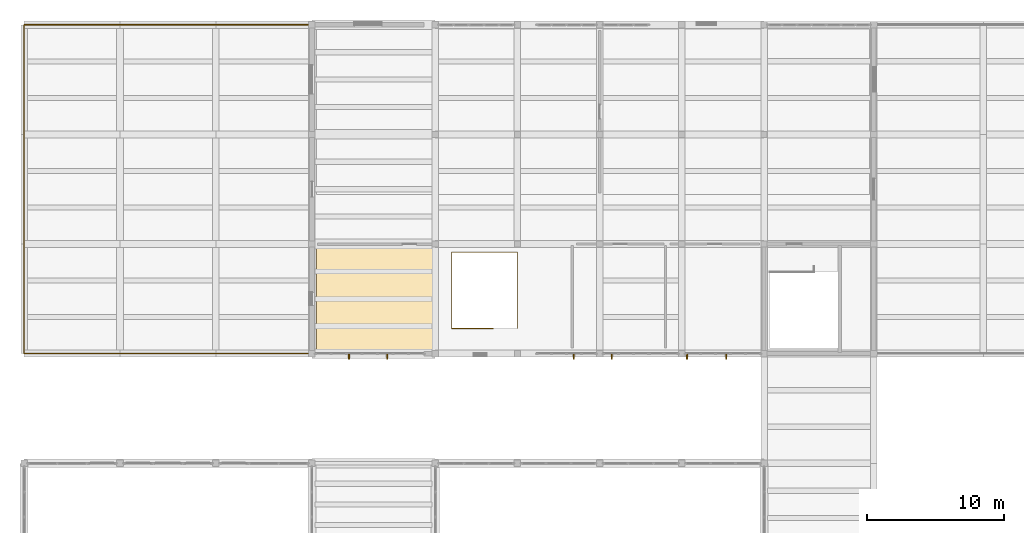
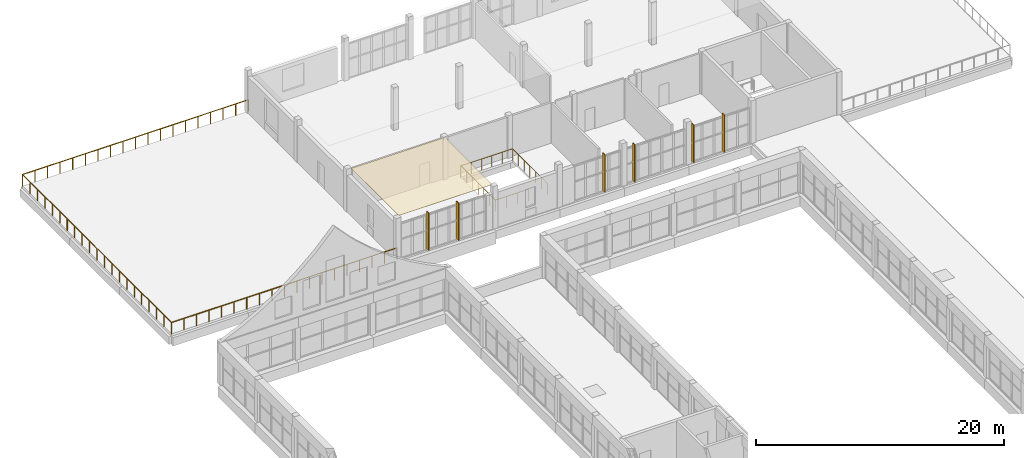
# One storey, part 67 of 70: 6 shading devices, 2 railings, 1 covering.
"""IFC4 building model written with IfcOpenShell, lengths in metres."""

import ifcopenshell
import ifcopenshell.guid

model = None  # the IFC model being written
_history = None  # IfcOwnerHistory: only IFC2X3 demands one
_inside = {}  # id of a spatial element -> (the spatial element, [elements in it])
_under = {}  # id of a project, library or spatial element -> (it, [spatial elements below it])
_declared = {}  # id of a project -> (the project, [libraries it declares])
_typed = {}  # id of a type object -> (the type object, [elements of that type])
_made_of = {}  # id of a material, layer set ... -> (it, [elements and type objects made of it])


def new_model(schema):
    """Start an empty IFC model of exactly this schema.

    Asked for "IFC4X3", IfcOpenShell would pick the latest addendum, in which some entities
    have other attributes; the version numbers below select the first issue.
    IFC2X3 requires an IfcOwnerHistory on every rooted entity: one is made here for all.
    """
    global model, _history
    if schema == "IFC4X3":
        model = ifcopenshell.file(schema_version=(4, 3, 0, 0))
    else:
        model = ifcopenshell.file(schema=schema)
    _inside.clear()
    _under.clear()
    _declared.clear()
    _typed.clear()
    _made_of.clear()
    _history = None
    if model.schema == "IFC2X3":
        org = make("IfcOrganization", Name="unknown")
        user = make(
            "IfcPersonAndOrganization",
            ThePerson=make("IfcPerson", FamilyName="unknown"),
            TheOrganization=org,
        )
        app = make(
            "IfcApplication",
            ApplicationDeveloper=org,
            Version="unknown",
            ApplicationFullName="unknown",
            ApplicationIdentifier="unknown",
        )
        _history = make(
            "IfcOwnerHistory",
            OwningUser=user,
            OwningApplication=app,
            ChangeAction="ADDED",
            CreationDate=0,
        )
    return model


def make(cls, **values):
    """One entity of the class cls with the attributes given. An attribute that is None is left unset."""
    return model.create_entity(
        cls, **{name: value for name, value in values.items() if value is not None}
    )


def rooted(cls, **values):
    """An entity with a GlobalId (a new one), such as an element, a storey or a relation."""
    return make(cls, GlobalId=ifcopenshell.guid.new(), OwnerHistory=_history, **values)


def si_unit(unit_type, name, prefix=None):
    """IfcSIUnit, for example si_unit("LENGTHUNIT", "METRE", prefix="MILLI")."""
    return make("IfcSIUnit", UnitType=unit_type, Prefix=prefix, Name=name)


def assignment(units):
    """IfcUnitAssignment: the units of a project."""
    return None if units is None else make("IfcUnitAssignment", Units=units)


def point(xyz):
    """IfcCartesianPoint."""
    return None if xyz is None else make("IfcCartesianPoint", Coordinates=xyz)


def direction(xyz):
    """IfcDirection."""
    return None if xyz is None else make("IfcDirection", DirectionRatios=xyz)


def frame(location, z_axis=None, x_axis=None):
    """IfcAxis2Placement3D, a coordinate frame: its origin and axes. An axis left out is left unset."""
    return make(
        "IfcAxis2Placement3D",
        Location=point(location),
        Axis=direction(z_axis),
        RefDirection=direction(x_axis),
    )


def frame_2d(location, x_axis=None):
    """IfcAxis2Placement2D, a coordinate frame in the plane: its origin and x axis."""
    return make(
        "IfcAxis2Placement2D", Location=point(location), RefDirection=direction(x_axis)
    )


def origin():
    """The frame at (0, 0, 0) with its axes left unset."""
    return frame((0.0, 0.0, 0.0))


def origin_2d():
    """The frame at (0, 0) in the plane with its x axis left unset."""
    return frame_2d((0.0, 0.0))


def place(relative_to, where):
    """IfcLocalPlacement: puts the frame where relative to a parent placement (None: the world)."""
    return make(
        "IfcLocalPlacement", PlacementRelTo=relative_to, RelativePlacement=where
    )


def context(
    kind, dimensions, precision=None, world=None, true_north=None, identifier=None
):
    """IfcGeometricRepresentationContext, for example the 3D "Model" context."""
    return make(
        "IfcGeometricRepresentationContext",
        ContextIdentifier=identifier,
        ContextType=kind,
        CoordinateSpaceDimension=dimensions,
        Precision=precision,
        WorldCoordinateSystem=world,
        TrueNorth=true_north,
    )


def subcontext(parent, identifier, kind, view, scale=None):
    """IfcGeometricRepresentationSubContext, for example "Body" below "Model"."""
    return make(
        "IfcGeometricRepresentationSubContext",
        ContextIdentifier=identifier,
        ContextType=kind,
        ParentContext=parent,
        TargetScale=scale,
        TargetView=view,
    )


def project(units=None, contexts=None):
    """IfcProject with its units and contexts."""
    return rooted(
        "IfcProject",
        Name="project",
        RepresentationContexts=contexts,
        UnitsInContext=assignment(units),
    )


def spatial(cls, under=None, at=None, **own):
    """A site, building, storey or space (cls), placed at a placement, below another one or the project."""
    s = rooted(cls, ObjectPlacement=at, **own)
    if under is not None:
        _under.setdefault(under.id(), (under, []))[1].append(s)
    return s


def polyline(points):
    """IfcPolyline through the points."""
    return make("IfcPolyline", Points=[point(p) for p in points])


def profile(cls, at=None, kind="AREA", **sizes):
    """A parametric profile (cls). Its sizes go by their IFC names, for example OverallWidth=200.0."""
    return make(cls, ProfileType=kind, Position=at, **sizes)


def rectangle(**sizes):
    """IfcRectangleProfileDef."""
    return profile("IfcRectangleProfileDef", **sizes)


def circle(**sizes):
    """IfcCircleProfileDef."""
    return profile("IfcCircleProfileDef", **sizes)


def outline(outer, holes=None, kind="AREA"):
    """IfcArbitraryClosedProfileDef: a profile drawn as a closed curve; with holes, ...WithVoids."""
    if holes is None:
        return make("IfcArbitraryClosedProfileDef", ProfileType=kind, OuterCurve=outer)
    return make(
        "IfcArbitraryProfileDefWithVoids",
        ProfileType=kind,
        OuterCurve=outer,
        InnerCurves=holes,
    )


def extrude(swept, where, along, depth):
    """IfcExtrudedAreaSolid: the profile swept, set in the frame where, extruded along a direction by depth."""
    return make(
        "IfcExtrudedAreaSolid",
        SweptArea=swept,
        Position=where,
        ExtrudedDirection=direction(along),
        Depth=depth,
    )


def shape(context_of_items, identifier, shape_type, items):
    """IfcShapeRepresentation: the items that make up one representation, for example the "Body"."""
    return make(
        "IfcShapeRepresentation",
        ContextOfItems=context_of_items,
        RepresentationIdentifier=identifier,
        RepresentationType=shape_type,
        Items=items,
    )


def material(Name=None, Category=None):
    """IfcMaterial."""
    return make("IfcMaterial", Name=Name, Category=Category)


def layer(
    of_material, thickness, ventilated=None, Name=None, Category=None, Priority=None
):
    """IfcMaterialLayer: one layer of a wall or slab, of a material (None: an air gap)."""
    return make(
        "IfcMaterialLayer",
        Material=of_material,
        LayerThickness=thickness,
        IsVentilated=ventilated,
        Name=Name,
        Category=Category,
        Priority=Priority,
    )


def layer_set(layers, Name=None):
    """IfcMaterialLayerSet."""
    return make("IfcMaterialLayerSet", MaterialLayers=layers, LayerSetName=Name)


def made_of(thing, what):
    """Note that an element or type object is made of a material, layer set ...; save() writes the relation."""
    if what is not None:
        _made_of.setdefault(what.id(), (what, []))[1].append(thing)
    return thing


def type_object(cls, material=None, **own):
    """A type object (cls), such as IfcWallType, which elements share."""
    return made_of(rooted(cls, **own), material)


def element(
    cls,
    number,
    at=None,
    inside=None,
    cuts=None,
    type_object=None,
    material=None,
    context=None,
    identifier="Body",
    shape_type=None,
    held_by="IfcProductDefinitionShape",
    body=None,
    shapes=None,
    **own,
):
    """One element of the class cls, such as IfcWall. Its Tag is "e" and its number.

    at: its placement. inside: the storey or other place that contains it. cuts: it is an
    opening in that element (IfcRelVoidsElement). A single representation is given by context,
    identifier, shape_type and body (its items); several are given by shapes. held_by: the class
    of the entity that holds the representations. save() writes the other relations.
    """
    e = rooted(cls, Tag="e%d" % number, ObjectPlacement=at, **own)
    if body is not None:
        shapes = [shape(context, identifier, shape_type, body)]
    if shapes is not None:
        e.Representation = make(held_by, Representations=shapes)
    if inside is not None:
        _inside.setdefault(inside.id(), (inside, []))[1].append(e)
    if cuts is not None:
        rooted(
            "IfcRelVoidsElement", RelatingBuildingElement=cuts, RelatedOpeningElement=e
        )
    if type_object is not None:
        _typed.setdefault(type_object.id(), (type_object, []))[1].append(e)
    return made_of(e, material)


def aggregate(whole, parts):
    """IfcRelAggregates: a whole, such as a stair, and the parts it consists of."""
    return rooted("IfcRelAggregates", RelatingObject=whole, RelatedObjects=parts)


def save(model, path):
    """Write the relations noted so far, then the file.

    IfcRelAggregates (storeys below a building ...), IfcRelContainedInSpatialStructure (elements
    in a storey), IfcRelDefinesByType, IfcRelAssociatesMaterial and IfcRelDeclares: one each for
    every whole, place, type object, material and project.
    """
    for whole, parts in _under.values():
        aggregate(whole, parts)
    for where, things in _inside.values():
        rooted(
            "IfcRelContainedInSpatialStructure",
            RelatedElements=things,
            RelatingStructure=where,
        )
    for kind, things in _typed.values():
        rooted("IfcRelDefinesByType", RelatedObjects=things, RelatingType=kind)
    for what, things in _made_of.values():
        rooted("IfcRelAssociatesMaterial", RelatedObjects=things, RelatingMaterial=what)
    for by, libraries in _declared.values():
        rooted("IfcRelDeclares", RelatingContext=by, RelatedDefinitions=libraries)
    model.write(path)


model = new_model("IFC4")

# Units and contexts
model_context = context("Model", 3, precision=1e-05, world=origin(), true_north=direction((0.0, 1.0)))
body_context = subcontext(model_context, "Body", "Model", "MODEL_VIEW")
ifc_project = project(units=[si_unit("LENGTHUNIT", "METRE"), si_unit("AREAUNIT", "SQUARE_METRE"), si_unit("VOLUMEUNIT", "CUBIC_METRE"), si_unit("PLANEANGLEUNIT", "RADIAN"), si_unit("MASSUNIT", "GRAM", prefix="KILO")], contexts=[model_context])

# Site, building, storey
site_placement = place(None, origin())
site = spatial("IfcSite", under=ifc_project, at=site_placement, CompositionType="ELEMENT")
building_placement = place(site_placement, origin())
building = spatial("IfcBuilding", under=site, at=building_placement, Name="Solvane Community Centre", CompositionType="ELEMENT")
storey_placement = place(building_placement, frame((0.0, 0.0, 9.60009765625)))
storey = spatial("IfcBuildingStorey", under=building, at=storey_placement, Name="L02", CompositionType="ELEMENT", Elevation=9.60009765625)

# Covering
ifc_material_1 = material(Name="Acoustic timber slat ceiling", Category="wood")
ifc_layer = layer(ifc_material_1, 0.0400390625)
ifc_layer_set = layer_set([ifc_layer], Name="Acoustic timber slat ceiling")
covering_type = type_object("IfcCoveringType", Name="Acoustic Timber Slat Suspended Ceiling", PredefinedType="CEILING", material=ifc_layer_set)
covering_placement = place(storey_placement, frame((0.0, 0.0, 3.954833984375)))
element("IfcCovering", 1, at=covering_placement, inside=storey, type_object=covering_type, Name="Acoustic Ceiling L02-18", PredefinedType="CEILING", context=body_context, shape_type="SweptSolid", body=[
    extrude(outline(polyline([(27.320068359375, 86.320068359375), (27.320068359375, 93.97998046875), (36.196044921875, 93.97998046875), (36.15478515625, 93.903076171875), (36.148193359375, 93.888916015625), (36.110595703125, 93.798095703125), (36.105224609375, 93.783203125), (36.076904296875, 93.689453125), (36.072998046875, 93.67431640625), (36.053955078125, 93.577880859375), (36.051513671875, 93.5625), (36.0419921875, 93.46484375), (36.041259765625, 93.44921875), (36.0400390625, 93.39990234375), (36.0400390625, 86.320068359375), (27.320068359375, 86.320068359375)])), origin(), (0.0, 0.0, 1.0), 0.0400390625),
])

# Shading devices
ifc_material_2 = material(Name="Anodised bronze aluminium AW-6063 T6", Category="aluminium")
shading_device_type = type_object("IfcShadingDeviceType", Name="Art Deco Bronze Solar Fin 80x360", PredefinedType="USERDEFINED", material=ifc_material_2)
shading_device_1_placement = place(storey_placement, frame((57.22802734375, 85.760009765625, 0.14990234375), z_axis=(0.0, 0.0, 1.0), x_axis=(-1.0, 0.0, 0.0)))
element("IfcShadingDevice", 2, at=shading_device_1_placement, inside=storey, type_object=shading_device_type, Name="Solar Brise-Soleil Fin 95", ObjectType="Solar Brise-Soleil Fin 95", PredefinedType="USERDEFINED", context=body_context, shape_type="SweptSolid", body=[
    extrude(rectangle(XDim=0.080078125, YDim=0.360107421875, at=origin_2d()), origin(), (0.0, 0.0, 1.0), 3.679931640625),
])
shading_device_2_placement = place(storey_placement, frame((54.3720703125, 85.760009765625, 0.14990234375), z_axis=(0.0, 0.0, 1.0), x_axis=(-1.0, 0.0, 0.0)))
element("IfcShadingDevice", 3, at=shading_device_2_placement, inside=storey, type_object=shading_device_type, Name="Solar Brise-Soleil Fin 96", ObjectType="Solar Brise-Soleil Fin 96", PredefinedType="USERDEFINED", context=body_context, shape_type="SweptSolid", body=[
    extrude(rectangle(XDim=0.080078125, YDim=0.360107421875, at=origin_2d()), origin(), (0.0, 0.0, 1.0), 3.679931640625),
])
shading_device_3_placement = place(storey_placement, frame((48.89404296875, 85.760009765625, 0.14990234375), z_axis=(0.0, 0.0, 1.0), x_axis=(-1.0, 0.0, 0.0)))
element("IfcShadingDevice", 4, at=shading_device_3_placement, inside=storey, type_object=shading_device_type, Name="Solar Brise-Soleil Fin 97", ObjectType="Solar Brise-Soleil Fin 97", PredefinedType="USERDEFINED", context=body_context, shape_type="SweptSolid", body=[
    extrude(rectangle(XDim=0.080078125, YDim=0.360107421875, at=origin_2d()), origin(), (0.0, 0.0, 1.0), 3.679931640625),
])
shading_device_4_placement = place(storey_placement, frame((46.10595703125, 85.760009765625, 0.14990234375), z_axis=(0.0, 0.0, 1.0), x_axis=(-1.0, 0.0, 0.0)))
element("IfcShadingDevice", 5, at=shading_device_4_placement, inside=storey, type_object=shading_device_type, Name="Solar Brise-Soleil Fin 98", ObjectType="Solar Brise-Soleil Fin 98", PredefinedType="USERDEFINED", context=body_context, shape_type="SweptSolid", body=[
    extrude(rectangle(XDim=0.080078125, YDim=0.360107421875, at=origin_2d()), origin(), (0.0, 0.0, 1.0), 3.679931640625),
])
shading_device_5_placement = place(storey_placement, frame((32.493896484375, 85.760009765625, 0.14990234375), z_axis=(0.0, 0.0, 1.0), x_axis=(-1.0, 0.0, 0.0)))
element("IfcShadingDevice", 6, at=shading_device_5_placement, inside=storey, type_object=shading_device_type, Name="Solar Brise-Soleil Fin 99", ObjectType="Solar Brise-Soleil Fin 99", PredefinedType="USERDEFINED", context=body_context, shape_type="SweptSolid", body=[
    extrude(rectangle(XDim=0.080078125, YDim=0.360107421875, at=origin_2d()), origin(), (0.0, 0.0, 1.0), 3.679931640625),
])
shading_device_6_placement = place(storey_placement, frame((29.7060546875, 85.760009765625, 0.14990234375), z_axis=(0.0, 0.0, 1.0), x_axis=(-1.0, 0.0, 0.0)))
element("IfcShadingDevice", 7, at=shading_device_6_placement, inside=storey, type_object=shading_device_type, Name="Solar Brise-Soleil Fin 100", ObjectType="Solar Brise-Soleil Fin 100", PredefinedType="USERDEFINED", context=body_context, shape_type="SweptSolid", body=[
    extrude(rectangle(XDim=0.080078125, YDim=0.360107421875, at=origin_2d()), origin(), (0.0, 0.0, 1.0), 3.679931640625),
])

# Railings
railing_type_1 = type_object("IfcRailingType", Name="Interior Gallery & Stair Well Guard 1150mm", PredefinedType="BALUSTRADE", material=ifc_material_2)
railing_1_placement = place(storey_placement, frame((40.25, 87.840087890625, 0.0)))
element("IfcRailing", 8, at=railing_1_placement, inside=storey, type_object=railing_type_1, Name="Railing GR-L02-135", PredefinedType="BALUSTRADE", context=body_context, shape_type="SweptSolid", body=[
    extrude(circle(Radius=0.02392578125, at=origin_2d()), frame((0.0, 0.0, 1.1259765625), z_axis=(-1.0, 0.0, 0.0), x_axis=(0.0, -1.0, 0.0)), (0.0, 0.0, 1.0), 3.050048828125),
    extrude(circle(Radius=0.02392578125, at=origin_2d()), frame((-3.050048828125, 0.0, 1.1259765625), z_axis=(0.0, 1.0, 0.0), x_axis=(-1.0, 0.0, 0.0)), (0.0, 0.0, 1.0), 5.559814453125),
    extrude(circle(Radius=0.02392578125, at=origin_2d()), frame((-3.050048828125, 5.559814453125, 1.1259765625), z_axis=(1.0, 0.0, 0.0), x_axis=(0.0, 1.0, 0.0)), (0.0, 0.0, 1.0), 4.800048828125),
    extrude(circle(Radius=0.02392578125, at=origin_2d()), frame((1.75, 5.559814453125, 1.1259765625), z_axis=(0.0, -1.0, 0.0), x_axis=(1.0, 0.0, 0.0)), (0.0, 0.0, 1.0), 5.559814453125),
    extrude(circle(Radius=0.02099609375, at=origin_2d()), origin(), (0.0, 0.0, 1.0), 1.101806640625),
    extrude(circle(Radius=0.02099609375, at=origin_2d()), frame((-1.0166015625, 0.0, 0.0)), (0.0, 0.0, 1.0), 1.101806640625),
    extrude(circle(Radius=0.02099609375, at=origin_2d()), frame((-2.033447265625, 0.0, 0.0)), (0.0, 0.0, 1.0), 1.101806640625),
    extrude(circle(Radius=0.02099609375, at=origin_2d()), frame((-3.050048828125, 0.0, 0.0)), (0.0, 0.0, 1.0), 1.101806640625),
    extrude(circle(Radius=0.02099609375, at=origin_2d()), frame((-3.050048828125, 0.9267578125, 0.0)), (0.0, 0.0, 1.0), 1.101806640625),
    extrude(circle(Radius=0.02099609375, at=origin_2d()), frame((-3.050048828125, 1.853271484375, 0.0)), (0.0, 0.0, 1.0), 1.101806640625),
    extrude(circle(Radius=0.02099609375, at=origin_2d()), frame((-3.050048828125, 2.77978515625, 0.0)), (0.0, 0.0, 1.0), 1.101806640625),
    extrude(circle(Radius=0.02099609375, at=origin_2d()), frame((-3.050048828125, 3.70654296875, 0.0)), (0.0, 0.0, 1.0), 1.101806640625),
    extrude(circle(Radius=0.02099609375, at=origin_2d()), frame((-3.050048828125, 4.63330078125, 0.0)), (0.0, 0.0, 1.0), 1.101806640625),
    extrude(circle(Radius=0.02099609375, at=origin_2d()), frame((-3.050048828125, 5.559814453125, 0.0)), (0.0, 0.0, 1.0), 1.101806640625),
    extrude(circle(Radius=0.02099609375, at=origin_2d()), frame((-2.090087890625, 5.559814453125, 0.0)), (0.0, 0.0, 1.0), 1.101806640625),
    extrude(circle(Radius=0.02099609375, at=origin_2d()), frame((-1.130126953125, 5.559814453125, 0.0)), (0.0, 0.0, 1.0), 1.101806640625),
    extrude(circle(Radius=0.02099609375, at=origin_2d()), frame((-0.169921875, 5.559814453125, 0.0)), (0.0, 0.0, 1.0), 1.101806640625),
    extrude(circle(Radius=0.02099609375, at=origin_2d()), frame((0.7900390625, 5.559814453125, 0.0)), (0.0, 0.0, 1.0), 1.101806640625),
    extrude(circle(Radius=0.02099609375, at=origin_2d()), frame((1.75, 5.559814453125, 0.0)), (0.0, 0.0, 1.0), 1.101806640625),
    extrude(circle(Radius=0.02099609375, at=origin_2d()), frame((1.75, 4.63330078125, 0.0)), (0.0, 0.0, 1.0), 1.101806640625),
    extrude(circle(Radius=0.02099609375, at=origin_2d()), frame((1.75, 3.70654296875, 0.0)), (0.0, 0.0, 1.0), 1.101806640625),
    extrude(circle(Radius=0.02099609375, at=origin_2d()), frame((1.75, 2.77978515625, 0.0)), (0.0, 0.0, 1.0), 1.101806640625),
    extrude(circle(Radius=0.02099609375, at=origin_2d()), frame((1.75, 1.853271484375, 0.0)), (0.0, 0.0, 1.0), 1.101806640625),
    extrude(circle(Radius=0.02099609375, at=origin_2d()), frame((1.75, 0.9267578125, 0.0)), (0.0, 0.0, 1.0), 1.101806640625),
    extrude(circle(Radius=0.02099609375, at=origin_2d()), frame((1.75, 0.0, 0.0)), (0.0, 0.0, 1.0), 1.101806640625),
])
railing_type_2 = type_object("IfcRailingType", Name="Terrace Art Deco Guard Balustrade 1150mm", PredefinedType="BALUSTRADE", material=ifc_material_2)
railing_2_placement = place(storey_placement, frame((27.0, 86.0, 0.0)))
element("IfcRailing", 9, at=railing_2_placement, inside=storey, type_object=railing_type_2, Name="Terrace Guard GRD-TER-004", PredefinedType="BALUSTRADE", context=body_context, shape_type="SweptSolid", body=[
    extrude(circle(Radius=0.02392578125, at=origin_2d()), frame((0.0, 0.0, 1.1259765625), z_axis=(-1.0, 0.0, 0.0), x_axis=(0.0, -1.0, 0.0)), (0.0, 0.0, 1.0), 21.0),
    extrude(circle(Radius=0.02392578125, at=origin_2d()), frame((-21.0, 0.0, 1.1259765625), z_axis=(0.0, 1.0, 0.0), x_axis=(-1.0, 0.0, 0.0)), (0.0, 0.0, 1.0), 24.0),
    extrude(circle(Radius=0.02392578125, at=origin_2d()), frame((-21.0, 24.0, 1.1259765625), z_axis=(1.0, 0.0, 0.0), x_axis=(0.0, 1.0, 0.0)), (0.0, 0.0, 1.0), 21.0),
    extrude(circle(Radius=0.02099609375, at=origin_2d()), origin(), (0.0, 0.0, 1.0), 1.101806640625),
    extrude(circle(Radius=0.02099609375, at=origin_2d()), frame((-1.166748046875, 0.0, 0.0)), (0.0, 0.0, 1.0), 1.101806640625),
    extrude(circle(Radius=0.02099609375, at=origin_2d()), frame((-2.333251953125, 0.0, 0.0)), (0.0, 0.0, 1.0), 1.101806640625),
    extrude(circle(Radius=0.02099609375, at=origin_2d()), frame((-3.5, 0.0, 0.0)), (0.0, 0.0, 1.0), 1.101806640625),
    extrude(circle(Radius=0.02099609375, at=origin_2d()), frame((-4.666748046875, 0.0, 0.0)), (0.0, 0.0, 1.0), 1.101806640625),
    extrude(circle(Radius=0.02099609375, at=origin_2d()), frame((-5.833251953125, 0.0, 0.0)), (0.0, 0.0, 1.0), 1.101806640625),
    extrude(circle(Radius=0.02099609375, at=origin_2d()), frame((-7.0, 0.0, 0.0)), (0.0, 0.0, 1.0), 1.101806640625),
    extrude(circle(Radius=0.02099609375, at=origin_2d()), frame((-8.166748046875, 0.0, 0.0)), (0.0, 0.0, 1.0), 1.101806640625),
    extrude(circle(Radius=0.02099609375, at=origin_2d()), frame((-9.333251953125, 0.0, 0.0)), (0.0, 0.0, 1.0), 1.101806640625),
    extrude(circle(Radius=0.02099609375, at=origin_2d()), frame((-10.5, 0.0, 0.0)), (0.0, 0.0, 1.0), 1.101806640625),
    extrude(circle(Radius=0.02099609375, at=origin_2d()), frame((-11.666748046875, 0.0, 0.0)), (0.0, 0.0, 1.0), 1.101806640625),
    extrude(circle(Radius=0.02099609375, at=origin_2d()), frame((-12.833251953125, 0.0, 0.0)), (0.0, 0.0, 1.0), 1.101806640625),
    extrude(circle(Radius=0.02099609375, at=origin_2d()), frame((-14.0, 0.0, 0.0)), (0.0, 0.0, 1.0), 1.101806640625),
    extrude(circle(Radius=0.02099609375, at=origin_2d()), frame((-15.166748046875, 0.0, 0.0)), (0.0, 0.0, 1.0), 1.101806640625),
    extrude(circle(Radius=0.02099609375, at=origin_2d()), frame((-16.333251953125, 0.0, 0.0)), (0.0, 0.0, 1.0), 1.101806640625),
    extrude(circle(Radius=0.02099609375, at=origin_2d()), frame((-17.5, 0.0, 0.0)), (0.0, 0.0, 1.0), 1.101806640625),
    extrude(circle(Radius=0.02099609375, at=origin_2d()), frame((-18.666748046875, 0.0, 0.0)), (0.0, 0.0, 1.0), 1.101806640625),
    extrude(circle(Radius=0.02099609375, at=origin_2d()), frame((-19.833251953125, 0.0, 0.0)), (0.0, 0.0, 1.0), 1.101806640625),
    extrude(circle(Radius=0.02099609375, at=origin_2d()), frame((-21.0, 0.0, 0.0)), (0.0, 0.0, 1.0), 1.101806640625),
    extrude(circle(Radius=0.02099609375, at=origin_2d()), frame((-21.0, 1.199951171875, 0.0)), (0.0, 0.0, 1.0), 1.101806640625),
    extrude(circle(Radius=0.02099609375, at=origin_2d()), frame((-21.0, 2.39990234375, 0.0)), (0.0, 0.0, 1.0), 1.101806640625),
    extrude(circle(Radius=0.02099609375, at=origin_2d()), frame((-21.0, 3.60009765625, 0.0)), (0.0, 0.0, 1.0), 1.101806640625),
    extrude(circle(Radius=0.02099609375, at=origin_2d()), frame((-21.0, 4.800048828125, 0.0)), (0.0, 0.0, 1.0), 1.101806640625),
    extrude(circle(Radius=0.02099609375, at=origin_2d()), frame((-21.0, 6.0, 0.0)), (0.0, 0.0, 1.0), 1.101806640625),
    extrude(circle(Radius=0.02099609375, at=origin_2d()), frame((-21.0, 7.199951171875, 0.0)), (0.0, 0.0, 1.0), 1.101806640625),
    extrude(circle(Radius=0.02099609375, at=origin_2d()), frame((-21.0, 8.39990234375, 0.0)), (0.0, 0.0, 1.0), 1.101806640625),
    extrude(circle(Radius=0.02099609375, at=origin_2d()), frame((-21.0, 9.60009765625, 0.0)), (0.0, 0.0, 1.0), 1.101806640625),
    extrude(circle(Radius=0.02099609375, at=origin_2d()), frame((-21.0, 10.800048828125, 0.0)), (0.0, 0.0, 1.0), 1.101806640625),
    extrude(circle(Radius=0.02099609375, at=origin_2d()), frame((-21.0, 12.0, 0.0)), (0.0, 0.0, 1.0), 1.101806640625),
    extrude(circle(Radius=0.02099609375, at=origin_2d()), frame((-21.0, 13.199951171875, 0.0)), (0.0, 0.0, 1.0), 1.101806640625),
    extrude(circle(Radius=0.02099609375, at=origin_2d()), frame((-21.0, 14.39990234375, 0.0)), (0.0, 0.0, 1.0), 1.101806640625),
    extrude(circle(Radius=0.02099609375, at=origin_2d()), frame((-21.0, 15.60009765625, 0.0)), (0.0, 0.0, 1.0), 1.101806640625),
    extrude(circle(Radius=0.02099609375, at=origin_2d()), frame((-21.0, 16.800048828125, 0.0)), (0.0, 0.0, 1.0), 1.101806640625),
    extrude(circle(Radius=0.02099609375, at=origin_2d()), frame((-21.0, 18.0, 0.0)), (0.0, 0.0, 1.0), 1.101806640625),
    extrude(circle(Radius=0.02099609375, at=origin_2d()), frame((-21.0, 19.199951171875, 0.0)), (0.0, 0.0, 1.0), 1.101806640625),
    extrude(circle(Radius=0.02099609375, at=origin_2d()), frame((-21.0, 20.39990234375, 0.0)), (0.0, 0.0, 1.0), 1.101806640625),
    extrude(circle(Radius=0.02099609375, at=origin_2d()), frame((-21.0, 21.60009765625, 0.0)), (0.0, 0.0, 1.0), 1.101806640625),
    extrude(circle(Radius=0.02099609375, at=origin_2d()), frame((-21.0, 22.800048828125, 0.0)), (0.0, 0.0, 1.0), 1.101806640625),
    extrude(circle(Radius=0.02099609375, at=origin_2d()), frame((-21.0, 24.0, 0.0)), (0.0, 0.0, 1.0), 1.101806640625),
    extrude(circle(Radius=0.02099609375, at=origin_2d()), frame((-19.833251953125, 24.0, 0.0)), (0.0, 0.0, 1.0), 1.101806640625),
    extrude(circle(Radius=0.02099609375, at=origin_2d()), frame((-18.666748046875, 24.0, 0.0)), (0.0, 0.0, 1.0), 1.101806640625),
    extrude(circle(Radius=0.02099609375, at=origin_2d()), frame((-17.5, 24.0, 0.0)), (0.0, 0.0, 1.0), 1.101806640625),
    extrude(circle(Radius=0.02099609375, at=origin_2d()), frame((-16.333251953125, 24.0, 0.0)), (0.0, 0.0, 1.0), 1.101806640625),
    extrude(circle(Radius=0.02099609375, at=origin_2d()), frame((-15.166748046875, 24.0, 0.0)), (0.0, 0.0, 1.0), 1.101806640625),
    extrude(circle(Radius=0.02099609375, at=origin_2d()), frame((-14.0, 24.0, 0.0)), (0.0, 0.0, 1.0), 1.101806640625),
    extrude(circle(Radius=0.02099609375, at=origin_2d()), frame((-12.833251953125, 24.0, 0.0)), (0.0, 0.0, 1.0), 1.101806640625),
    extrude(circle(Radius=0.02099609375, at=origin_2d()), frame((-11.666748046875, 24.0, 0.0)), (0.0, 0.0, 1.0), 1.101806640625),
    extrude(circle(Radius=0.02099609375, at=origin_2d()), frame((-10.5, 24.0, 0.0)), (0.0, 0.0, 1.0), 1.101806640625),
    extrude(circle(Radius=0.02099609375, at=origin_2d()), frame((-9.333251953125, 24.0, 0.0)), (0.0, 0.0, 1.0), 1.101806640625),
    extrude(circle(Radius=0.02099609375, at=origin_2d()), frame((-8.166748046875, 24.0, 0.0)), (0.0, 0.0, 1.0), 1.101806640625),
    extrude(circle(Radius=0.02099609375, at=origin_2d()), frame((-7.0, 24.0, 0.0)), (0.0, 0.0, 1.0), 1.101806640625),
    extrude(circle(Radius=0.02099609375, at=origin_2d()), frame((-5.833251953125, 24.0, 0.0)), (0.0, 0.0, 1.0), 1.101806640625),
    extrude(circle(Radius=0.02099609375, at=origin_2d()), frame((-4.666748046875, 24.0, 0.0)), (0.0, 0.0, 1.0), 1.101806640625),
    extrude(circle(Radius=0.02099609375, at=origin_2d()), frame((-3.5, 24.0, 0.0)), (0.0, 0.0, 1.0), 1.101806640625),
    extrude(circle(Radius=0.02099609375, at=origin_2d()), frame((-2.333251953125, 24.0, 0.0)), (0.0, 0.0, 1.0), 1.101806640625),
    extrude(circle(Radius=0.02099609375, at=origin_2d()), frame((-1.166748046875, 24.0, 0.0)), (0.0, 0.0, 1.0), 1.101806640625),
    extrude(circle(Radius=0.02099609375, at=origin_2d()), frame((0.0, 24.0, 0.0)), (0.0, 0.0, 1.0), 1.101806640625),
])

save(model, "model.ifc")
